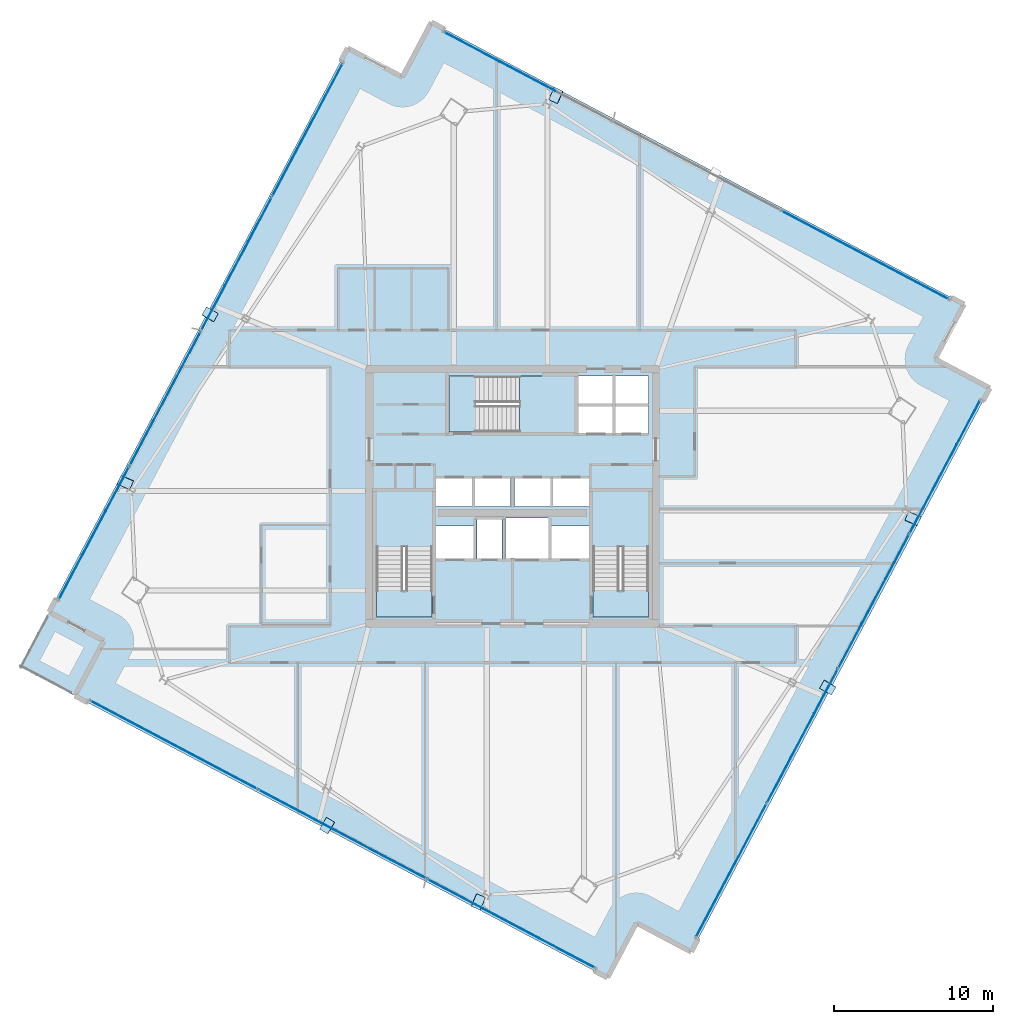
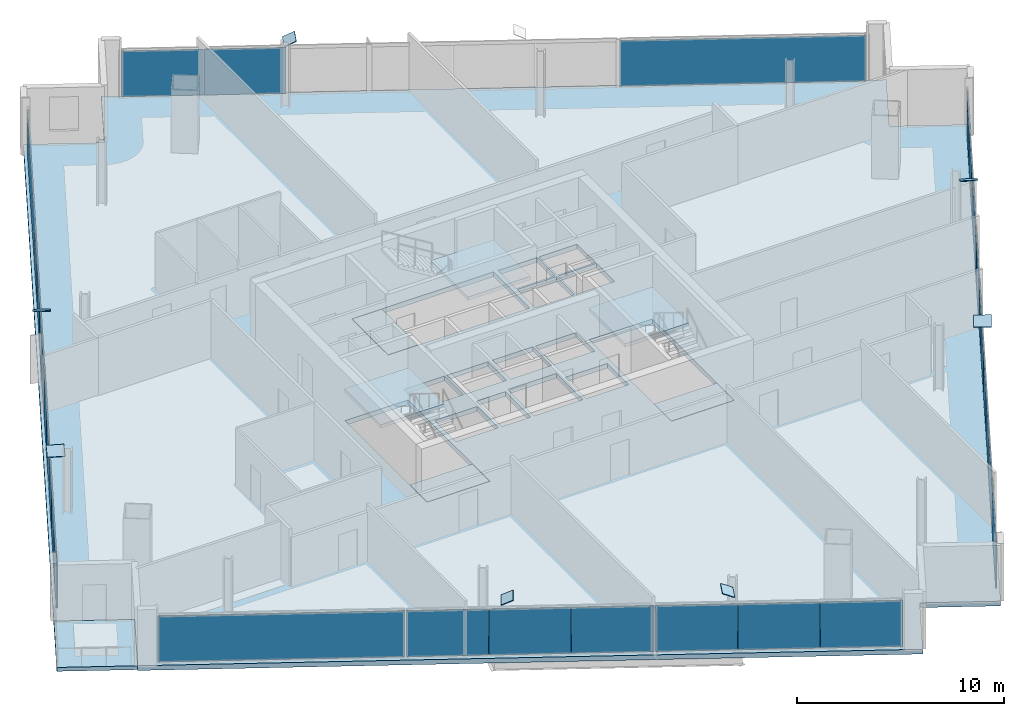
# One storey, part 19 of 28: 37 plates, 8 slabs, 7 elements without a shape of their own.
"""IFC4 building model written with IfcOpenShell, lengths in metres."""

from ifc_helpers import new_model, si_unit, direction, frame, origin, origin_2d, place, context, subcontext, project, spatial, polyline, rectangle, outline, extrude, source, transform, mapped, material, layer, layer_set, type_object, element, aggregate, save


model = new_model("IFC4")

# Units and contexts
model_context = context("Model", 3, precision=1e-05, world=origin(), true_north=direction((0.0, 1.0)))
body_context = subcontext(model_context, "Body", "Model", "MODEL_VIEW")
ifc_project = project(units=[si_unit("LENGTHUNIT", "METRE"), si_unit("AREAUNIT", "SQUARE_METRE"), si_unit("VOLUMEUNIT", "CUBIC_METRE"), si_unit("PLANEANGLEUNIT", "RADIAN"), si_unit("MASSUNIT", "GRAM", prefix="KILO")], contexts=[model_context])

# Site, building, storey
site_placement = place(None, origin())
site = spatial("IfcSite", under=ifc_project, at=site_placement, CompositionType="ELEMENT")
building_placement = place(site_placement, origin())
building = spatial("IfcBuilding", under=site, at=building_placement, Name="Haldenkirk Collegiate Tower", CompositionType="ELEMENT")
storey_placement = place(building_placement, frame((0.0, 0.0, 235.949951171875)))
storey = spatial("IfcBuildingStorey", under=building, at=storey_placement, Name="L59", CompositionType="ELEMENT", Elevation=235.949951171875)

# Slab
ifc_material_1 = material(Name="Concrete f'c 40 MPa", Category="concrete")
ifc_layer_1 = layer(ifc_material_1, 0.280029296875)
ifc_layer_set_1 = layer_set([ifc_layer_1], Name="Concrete f'c 40 MPa")
slab_type_1 = type_object("IfcSlabType", Name="SLB-FLR-280", PredefinedType="FLOOR", material=ifc_layer_set_1)
slab_1_placement = place(storey_placement, frame((0.0, 0.0, -0.280029296875)))
element("IfcSlab", 1, at=slab_1_placement, inside=storey, type_object=slab_type_1, Name="L59 composite structural floor slab", PredefinedType="FLOOR", context=body_context, shape_type="SweptSolid", body=[
    extrude(outline(polyline([(47.231689453125, -2.634033203125), (65.995849609375, 32.804931640625), (62.549072265625, 34.6298828125), (64.3740234375, 38.07666015625), (30.9013671875, 55.799560546875), (29.076416015625, 52.352783203125), (25.6298828125, 54.177734375), (6.86572265625, 18.73876953125), (10.3125, 16.913818359375), (8.487548828125, 13.467041015625), (41.960205078125, -4.255615234375), (43.78515625, -0.80908203125), (47.231689453125, -2.634033203125)]), holes=[polyline([(27.449951171875, 18.39990234375), (30.949951171875, 18.39990234375), (30.949951171875, 26.300048828125), (27.449951171875, 26.300048828125), (27.449951171875, 18.39990234375)]), polyline([(41.050048828125, 18.39990234375), (44.550048828125, 18.39990234375), (44.550048828125, 26.300048828125), (41.050048828125, 26.300048828125), (41.050048828125, 18.39990234375)]), polyline([(32.0, 30.050048828125), (39.89990234375, 30.050048828125), (39.89990234375, 33.550048828125), (32.0, 33.550048828125), (32.0, 30.050048828125)]), polyline([(33.75, 22.10009765625), (35.35009765625, 22.10009765625), (35.35009765625, 24.550048828125), (33.75, 24.550048828125), (33.75, 22.10009765625)]), polyline([(40.14990234375, 29.949951171875), (42.320068359375, 29.949951171875), (42.320068359375, 31.699951171875), (40.14990234375, 31.699951171875), (40.14990234375, 29.949951171875)]), polyline([(42.419921875, 29.949951171875), (44.550048828125, 29.949951171875), (44.550048828125, 31.699951171875), (42.419921875, 31.699951171875), (42.419921875, 29.949951171875)]), polyline([(40.14990234375, 31.800048828125), (42.320068359375, 31.800048828125), (42.320068359375, 33.550048828125), (40.14990234375, 33.550048828125), (40.14990234375, 31.800048828125)]), polyline([(42.419921875, 31.800048828125), (44.550048828125, 31.800048828125), (44.550048828125, 33.550048828125), (42.419921875, 33.550048828125), (42.419921875, 31.800048828125)]), polyline([(31.199951171875, 25.35009765625), (33.47998046875, 25.35009765625), (33.47998046875, 27.14990234375), (31.199951171875, 27.14990234375), (31.199951171875, 25.35009765625)]), polyline([(33.60009765625, 25.35009765625), (35.8798828125, 25.35009765625), (35.8798828125, 27.14990234375), (33.60009765625, 27.14990234375), (33.60009765625, 25.35009765625)]), polyline([(36.1201171875, 25.35009765625), (38.39990234375, 25.35009765625), (38.39990234375, 27.14990234375), (36.1201171875, 27.14990234375), (36.1201171875, 25.35009765625)]), polyline([(38.52001953125, 25.35009765625), (40.800048828125, 25.35009765625), (40.800048828125, 27.14990234375), (38.52001953125, 27.14990234375), (38.52001953125, 25.35009765625)]), polyline([(31.199951171875, 22.10009765625), (33.550048828125, 22.10009765625), (33.550048828125, 24.14990234375), (31.199951171875, 24.14990234375), (31.199951171875, 22.10009765625)]), polyline([(38.449951171875, 22.10009765625), (40.800048828125, 22.10009765625), (40.800048828125, 24.14990234375), (38.449951171875, 24.14990234375), (38.449951171875, 22.10009765625)]), polyline([(35.550048828125, 22.10009765625), (38.25, 22.10009765625), (38.25, 24.64990234375), (35.550048828125, 24.64990234375), (35.550048828125, 22.10009765625)])]), origin(), (0.0, 0.0, 1.0), 0.280029296875),
])

# Stair, slab
stair_type = type_object("IfcStairType", Name="STR-DOGLEG-1650", PredefinedType="HALF_TURN_STAIR", material=ifc_material_1)
stair_1_placement = place(storey_placement, origin())
stair_1 = element("IfcStair", 2, at=stair_1_placement, inside=storey, type_object=stair_type, Name="L59 Core Exit Stair ST-1", PredefinedType="HALF_TURN_STAIR")
ifc_layer_2 = layer(ifc_material_1, 0.199951171875)
ifc_layer_set_2 = layer_set([ifc_layer_2], Name="Concrete f'c 40 MPa")
slab_type_2 = type_object("IfcSlabType", Name="SLB-LANDING-200", PredefinedType="LANDING", material=ifc_layer_set_2)
slab_2_placement = place(storey_placement, frame((0.0, 0.0, 1.675048828125)))
slab_2 = element("IfcSlab", 3, at=slab_2_placement, type_object=slab_type_2, Name="ST-1 landing 1", PredefinedType="LANDING", context=body_context, shape_type="SweptSolid", body=[
    extrude(outline(polyline([(30.97509765625, 22.824951171875), (27.425048828125, 22.824951171875), (27.425048828125, 26.324951171875), (30.97509765625, 26.324951171875), (30.97509765625, 22.824951171875)])), origin(), (0.0, 0.0, 1.0), 0.199951171875),
])
aggregate(stair_1, [slab_2])

stair_2_placement = place(storey_placement, origin())
stair_2 = element("IfcStair", 4, at=stair_2_placement, inside=storey, type_object=stair_type, Name="L59 Core Exit Stair ST-2", PredefinedType="HALF_TURN_STAIR")
slab_3_placement = place(storey_placement, frame((0.0, 0.0, 1.675048828125)))
slab_3 = element("IfcSlab", 5, at=slab_3_placement, type_object=slab_type_2, Name="ST-2 landing 1", PredefinedType="LANDING", context=body_context, shape_type="SweptSolid", body=[
    extrude(outline(polyline([(44.574951171875, 22.824951171875), (41.02490234375, 22.824951171875), (41.02490234375, 26.324951171875), (44.574951171875, 26.324951171875), (44.574951171875, 22.824951171875)])), origin(), (0.0, 0.0, 1.0), 0.199951171875),
])
aggregate(stair_2, [slab_3])

stair_3_placement = place(storey_placement, origin())
stair_3 = element("IfcStair", 6, at=stair_3_placement, inside=storey, type_object=stair_type, Name="L59 Core Exit Stair ST-3", PredefinedType="HALF_TURN_STAIR")
slab_4_placement = place(storey_placement, frame((0.0, 0.0, 1.675048828125)))
slab_4 = element("IfcSlab", 7, at=slab_4_placement, type_object=slab_type_2, Name="ST-3 landing 1", PredefinedType="LANDING", context=body_context, shape_type="SweptSolid", body=[
    extrude(outline(polyline([(36.425048828125, 30.02490234375), (36.425048828125, 33.574951171875), (39.925048828125, 33.574951171875), (39.925048828125, 30.02490234375), (36.425048828125, 30.02490234375)])), origin(), (0.0, 0.0, 1.0), 0.199951171875),
])
aggregate(stair_3, [slab_4])

# Slabs
ifc_layer_3 = layer(ifc_material_1, 0.25)
ifc_layer_set_3 = layer_set([ifc_layer_3], Name="Concrete f'c 40 MPa")
slab_type_3 = type_object("IfcSlabType", Name="SLB-STAIRLAND-250", PredefinedType="LANDING", material=ifc_layer_set_3)
slab_5_placement = place(storey_placement, frame((0.0, 0.0, -0.25)))
element("IfcSlab", 8, at=slab_5_placement, inside=storey, type_object=slab_type_3, Name="L59 stair ST1 structural floor landing slab", PredefinedType="LANDING", context=body_context, shape_type="SweptSolid", body=[
    extrude(outline(polyline([(27.4599609375, 18.409912109375), (30.93994140625, 18.409912109375), (30.93994140625, 20.080078125), (27.4599609375, 20.080078125), (27.4599609375, 18.409912109375)])), origin(), (0.0, 0.0, 1.0), 0.25),
])
slab_6_placement = place(storey_placement, frame((0.0, 0.0, -0.25)))
element("IfcSlab", 9, at=slab_6_placement, inside=storey, type_object=slab_type_3, Name="L59 stair ST2 structural floor landing slab", PredefinedType="LANDING", context=body_context, shape_type="SweptSolid", body=[
    extrude(outline(polyline([(41.06005859375, 18.409912109375), (44.5400390625, 18.409912109375), (44.5400390625, 20.080078125), (41.06005859375, 20.080078125), (41.06005859375, 18.409912109375)])), origin(), (0.0, 0.0, 1.0), 0.25),
])
slab_7_placement = place(storey_placement, frame((0.0, 0.0, -0.25)))
element("IfcSlab", 10, at=slab_7_placement, inside=storey, type_object=slab_type_3, Name="L59 stair ST3 structural floor landing slab", PredefinedType="LANDING", context=body_context, shape_type="SweptSolid", body=[
    extrude(outline(polyline([(32.010009765625, 30.06005859375), (33.679931640625, 30.06005859375), (33.679931640625, 33.5400390625), (32.010009765625, 33.5400390625), (32.010009765625, 30.06005859375)])), origin(), (0.0, 0.0, 1.0), 0.25),
])
ifc_layer_4 = layer(ifc_material_1, 0.22998046875)
ifc_layer_set_4 = layer_set([ifc_layer_4], Name="Concrete f'c 40 MPa")
slab_type_4 = type_object("IfcSlabType", Name="SLB-TERR-SPIRAL-230", PredefinedType="FLOOR", material=ifc_layer_set_4)
slab_8_placement = place(storey_placement, frame((0.0, 0.0, -0.22998046875)))
element("IfcSlab", 11, at=slab_8_placement, inside=storey, type_object=slab_type_4, Name="L59 spiralling corner terrace slab", PredefinedType="FLOOR", context=body_context, shape_type="SweptSolid", body=[
    extrude(outline(polyline([(8.487548828125, 13.467041015625), (10.3125, 16.913818359375), (6.86572265625, 18.73876953125), (5.041015625, 15.2919921875), (8.487548828125, 13.467041015625)])), origin(), (0.0, 0.0, 1.0), 0.22998046875),
])

# Plates
ifc_material_2 = material(Name="Steel ASTM A572 Grade 50", Category="steel")
ifc_layer_5 = layer(ifc_material_2, 0.034912109375)
ifc_layer_set_5 = layer_set([ifc_layer_5], Name="Steel ASTM A572 Grade 50")
plate_type_1 = type_object("IfcPlateType", Name="PLT-CAP-EXT-760X600", PredefinedType="USERDEFINED", material=ifc_layer_set_5)
shared_shape_1 = source(origin(), body_context, "Body", "SweptSolid", [
    extrude(rectangle(XDim=0.860107421875, YDim=0.659912109375, at=origin_2d()), origin(), (0.0, 0.0, 1.0), 0.034912109375),
])
for number, where, z_axis, x_axis, name in (
    (12, (55.820556640625, 13.9892578125, 3.387451171875), (-0.236954971808, -0.41756695032, 0.877205895634), (0.869723782829, -0.493538794404, -1.30873e-07), "Perimeter Mega Brace Z4 L57-L59 SL end cap plate 2"),
    (13, (61.163330078125, 24.58935546875, 3.38720703125), (0.184724087541, 0.419739198914, 0.88864842113), (-0.915283707916, 0.402809798819, -1.28831e-07), "Perimeter Mega Brace Z4 L57-L59 SR end cap plate 2"),
    (14, (38.7294921875, 51.1982421875, 3.387451171875), (-0.397510047221, 0.177415021076, 0.900283106947), (-0.407565732875, -0.9131758721, -3.96683e-07), "Perimeter Mega Brace Z4 L57-L59 ER end cap plate 2"),
    (15, (16.980224609375, 37.432861328125, 3.387451171875), (0.236617001642, 0.415802002886, 0.878135006095), (-0.869127717291, 0.494587718242, -1.92838e-07), "Perimeter Mega Brace Z4 L57-L59 NL end cap plate 2"),
    (16, (11.663330078125, 26.884033203125, 3.38720703125), (-0.183460986568, -0.418323969373, 0.889576934871), (0.915799561089, -0.401635610858, -3.50728e-07), "Perimeter Mega Brace Z4 L57-L59 NR end cap plate 2"),
    (17, (24.3515625, 5.297119140625, 3.387451171875), (-0.381641941076, 0.220048966026, 0.897734861394), (-0.499503583142, -0.866311820552, -5.53256e-07), "Perimeter Mega Brace Z4 L57-L59 WL end cap plate 2"),
    (18, (33.839599609375, 0.514892578125, 3.387451171875), (0.384768993656, -0.165928997264, 0.907975985028), (0.395991106612, 0.918254345748, -8.4544e-08), "Perimeter Mega Brace Z4 L57-L59 WR end cap plate 2"),
):
    element("IfcPlate", number, at=place(storey_placement, frame(where, z_axis=z_axis, x_axis=x_axis)), inside=storey, type_object=plate_type_1, Name=name, ObjectType="END CAP PLATE", PredefinedType="USERDEFINED", context=body_context, shape_type="MappedRepresentation", body=[
        mapped(shared_shape_1, transform((0.0, 0.0, 0.0), x_axis=(1.0, 0.0, 0.0), y_axis=(0.0, 1.0, 0.0), z_axis=(0.0, 0.0, 1.0), scale=1.0)),
    ])

# Curtain wall, plates
ifc_material_3 = material(Name="Anodised architectural bronze aluminium", Category="aluminium")
curtain_wall_type_1 = type_object("IfcCurtainWallType", Name="CW-SYS2-CONCAVE", PredefinedType="USERDEFINED", material=ifc_material_3)
curtain_wall_1_placement = place(storey_placement, origin())
curtain_wall_1 = element("IfcCurtainWall", 19, at=curtain_wall_1_placement, inside=storey, type_object=curtain_wall_type_1, Name="L59 South concave recessed bronze-anodised curtain wall", ObjectType="UNITISED CURTAIN WALL", PredefinedType="USERDEFINED")
ifc_material_4 = material(Name="Low-E argon triple insulating glass", Category="glass")
ifc_layer_6 = layer(ifc_material_4, 0.0419921875)
ifc_layer_set_6 = layer_set([ifc_layer_6], Name="Low-E argon triple insulating glass")
plate_type_2 = type_object("IfcPlateType", Name="CW-PNL-02", PredefinedType="CURTAIN_PANEL", material=ifc_layer_set_6)
shared_shape_2 = source(origin(), body_context, "Body", "SweptSolid", [
    extrude(rectangle(XDim=3.1416015625, YDim=0.0419921875, at=origin_2d()), origin(), (0.0, 0.0, 1.0), 2.7080078125),
])
plate_1_placement = place(storey_placement, frame((64.6455078125, 30.639404296875, 0.074951171875), z_axis=(0.0, 0.0, 1.0), x_axis=(-0.467931866304, -0.883764543584, 0.0)))
plate_1 = element("IfcPlate", 20, at=plate_1_placement, type_object=plate_type_2, Name="CW-02 panel 1.1a", PredefinedType="CURTAIN_PANEL", context=body_context, shape_type="MappedRepresentation", body=[
    mapped(shared_shape_2, transform((0.0, 0.0, 0.0), x_axis=(1.0, 0.0, 0.0), y_axis=(0.0, 1.0, 0.0), z_axis=(0.0, 0.0, 1.0), scale=1.0)),
])
ifc_material_5 = material(Name="Bronze-anodised insulated aluminium spandrel panel", Category="aluminium")
ifc_layer_7 = layer(ifc_material_5, 0.0419921875)
ifc_layer_set_7 = layer_set([ifc_layer_7], Name="Bronze-anodised insulated aluminium spandrel panel")
plate_type_3 = type_object("IfcPlateType", Name="CW-SPD-02", PredefinedType="CURTAIN_PANEL", material=ifc_layer_set_7)
plate_2_placement = place(storey_placement, frame((61.687744140625, 25.052978515625, 0.074951171875), z_axis=(0.0, 0.0, 1.0), x_axis=(-0.467931866304, -0.883764543584, 0.0)))
plate_2 = element("IfcPlate", 21, at=plate_2_placement, type_object=plate_type_3, Name="CW-02 spandrel panel 1.1c", PredefinedType="CURTAIN_PANEL", context=body_context, shape_type="MappedRepresentation", body=[
    mapped(shared_shape_2, transform((0.0, 0.0, 0.0), x_axis=(1.0, 0.0, 0.0), y_axis=(0.0, 1.0, 0.0), z_axis=(0.0, 0.0, 1.0), scale=1.0)),
])
plate_3_placement = place(storey_placement, frame((58.69482421875, 19.400634765625, 0.074951171875), z_axis=(0.0, 0.0, 1.0), x_axis=(-0.467931866304, -0.883764543584, 0.0)))
plate_3 = element("IfcPlate", 22, at=plate_3_placement, type_object=plate_type_2, Name="CW-02 panel 2.1b", PredefinedType="CURTAIN_PANEL", context=body_context, shape_type="MappedRepresentation", body=[
    mapped(shared_shape_2, transform((0.0, 0.0, 0.0), x_axis=(1.0, 0.0, 0.0), y_axis=(0.0, 1.0, 0.0), z_axis=(0.0, 0.0, 1.0), scale=1.0)),
])
plate_4_placement = place(storey_placement, frame((54.214599609375, 10.938720703125, 0.074951171875), z_axis=(0.0, 0.0, 1.0), x_axis=(-0.467931866304, -0.883764543584, 0.0)))
plate_4 = element("IfcPlate", 23, at=plate_4_placement, type_object=plate_type_2, Name="CW-02 panel 3.1b", PredefinedType="CURTAIN_PANEL", context=body_context, shape_type="MappedRepresentation", body=[
    mapped(shared_shape_2, transform((0.0, 0.0, 0.0), x_axis=(1.0, 0.0, 0.0), y_axis=(0.0, 1.0, 0.0), z_axis=(0.0, 0.0, 1.0), scale=1.0)),
])
shared_shape_3 = source(origin(), body_context, "Body", "SweptSolid", [
    extrude(rectangle(XDim=3.129150390625, YDim=0.0419921875, at=origin_2d()), origin(), (0.0, 0.0, 1.0), 2.7080078125),
])
plate_5_placement = place(storey_placement, frame((63.16650390625, 27.84619140625, 0.074951171875), z_axis=(0.0, 0.0, 1.0), x_axis=(-0.467931866304, -0.883764543584, 0.0)))
plate_5 = element("IfcPlate", 24, at=plate_5_placement, type_object=plate_type_2, Name="CW-02 panel 1.1b", PredefinedType="CURTAIN_PANEL", context=body_context, shape_type="MappedRepresentation", body=[
    mapped(shared_shape_3, transform((0.0, 0.0, 0.0), x_axis=(1.0, 0.0, 0.0), y_axis=(0.0, 1.0, 0.0), z_axis=(0.0, 0.0, 1.0), scale=1.0)),
])
shared_shape_4 = source(origin(), body_context, "Body", "SweptSolid", [
    extrude(rectangle(XDim=3.154296875, YDim=0.0419921875, at=origin_2d()), origin(), (0.0, 0.0, 1.0), 2.7080078125),
])
plate_6_placement = place(storey_placement, frame((60.1796875, 22.204833984375, 0.074951171875), z_axis=(0.0, 0.0, 1.0), x_axis=(-0.467931866304, -0.883764543584, 0.0)))
plate_6 = element("IfcPlate", 25, at=plate_6_placement, type_object=plate_type_3, Name="CW-02 spandrel panel 2.1a", PredefinedType="CURTAIN_PANEL", context=body_context, shape_type="MappedRepresentation", body=[
    mapped(shared_shape_4, transform((0.0, 0.0, 0.0), x_axis=(1.0, 0.0, 0.0), y_axis=(0.0, 1.0, 0.0), z_axis=(0.0, 0.0, 1.0), scale=1.0)),
])
plate_7_placement = place(storey_placement, frame((57.210205078125, 16.5966796875, 0.074951171875), z_axis=(0.0, 0.0, 1.0), x_axis=(-0.467931866304, -0.883764543584, 0.0)))
plate_7 = element("IfcPlate", 26, at=plate_7_placement, type_object=plate_type_3, Name="CW-02 spandrel panel 2.1c", PredefinedType="CURTAIN_PANEL", context=body_context, shape_type="MappedRepresentation", body=[
    mapped(shared_shape_4, transform((0.0, 0.0, 0.0), x_axis=(1.0, 0.0, 0.0), y_axis=(0.0, 1.0, 0.0), z_axis=(0.0, 0.0, 1.0), scale=1.0)),
])
plate_8_placement = place(storey_placement, frame((55.69921875, 13.742919921875, 0.074951171875), z_axis=(0.0, 0.0, 1.0), x_axis=(-0.467931866304, -0.883764543584, 0.0)))
plate_8 = element("IfcPlate", 27, at=plate_8_placement, type_object=plate_type_3, Name="CW-02 spandrel panel 3.1a", PredefinedType="CURTAIN_PANEL", context=body_context, shape_type="MappedRepresentation", body=[
    mapped(shared_shape_4, transform((0.0, 0.0, 0.0), x_axis=(1.0, 0.0, 0.0), y_axis=(0.0, 1.0, 0.0), z_axis=(0.0, 0.0, 1.0), scale=1.0)),
])
plate_9_placement = place(storey_placement, frame((52.729736328125, 8.134521484375, 0.074951171875), z_axis=(0.0, 0.0, 1.0), x_axis=(-0.467931866304, -0.883764543584, 0.0)))
plate_9 = element("IfcPlate", 28, at=plate_9_placement, type_object=plate_type_2, Name="CW-02 panel 3.1c", PredefinedType="CURTAIN_PANEL", context=body_context, shape_type="MappedRepresentation", body=[
    mapped(shared_shape_4, transform((0.0, 0.0, 0.0), x_axis=(1.0, 0.0, 0.0), y_axis=(0.0, 1.0, 0.0), z_axis=(0.0, 0.0, 1.0), scale=1.0)),
])
shared_shape_5 = source(origin(), body_context, "Body", "SweptSolid", [
    extrude(rectangle(XDim=9.46240234375, YDim=0.0419921875, at=origin_2d()), origin(), (0.0, 0.0, 1.0), 2.7080078125),
])
plate_10_placement = place(storey_placement, frame((49.742919921875, 2.4931640625, 0.074951171875), z_axis=(0.0, 0.0, 1.0), x_axis=(-0.467931866304, -0.883764543584, 0.0)))
plate_10 = element("IfcPlate", 29, at=plate_10_placement, type_object=plate_type_2, Name="CW-02 panel 4.1", PredefinedType="CURTAIN_PANEL", context=body_context, shape_type="MappedRepresentation", body=[
    mapped(shared_shape_5, transform((0.0, 0.0, 0.0), x_axis=(1.0, 0.0, 0.0), y_axis=(0.0, 1.0, 0.0), z_axis=(0.0, 0.0, 1.0), scale=1.0)),
])
aggregate(curtain_wall_1, [plate_1, plate_5, plate_2, plate_6, plate_3, plate_7, plate_8, plate_4, plate_9, plate_10])

# Curtain wall, plate
curtain_wall_type_2 = type_object("IfcCurtainWallType", Name="CW-SYS1B-CONVEX-HI", PredefinedType="USERDEFINED", material=ifc_material_3)
curtain_wall_2_placement = place(storey_placement, origin())
curtain_wall_2 = element("IfcCurtainWall", 30, at=curtain_wall_2_placement, inside=storey, type_object=curtain_wall_type_2, Name="L59 Upper tower high-wind convex bronze unitised curtain wall", ObjectType="UNITISED CURTAIN WALL", PredefinedType="USERDEFINED")
ifc_layer_8 = layer(ifc_material_4, 0.048095703125)
ifc_layer_set_8 = layer_set([ifc_layer_8], Name="Low-E argon triple insulating glass")
plate_type_4 = type_object("IfcPlateType", Name="CW-PNL-1B", PredefinedType="CURTAIN_PANEL", material=ifc_layer_set_8)
shared_shape_6 = source(origin(), body_context, "Body", "SweptSolid", [
    extrude(rectangle(XDim=3.953369140625, YDim=0.048095703125, at=origin_2d()), origin(), (0.0, 0.0, 1.0), 2.68798828125),
])
plate_11_placement = place(storey_placement, frame((33.4345703125, 54.254638671875, 0.0849609375), z_axis=(0.0, 0.0, 1.0), x_axis=(0.883765597013, -0.46792987673, 0.0)))
plate_11 = element("IfcPlate", 31, at=plate_11_placement, type_object=plate_type_4, Name="CW-1B panel 1.1a", PredefinedType="CURTAIN_PANEL", context=body_context, shape_type="MappedRepresentation", body=[
    mapped(shared_shape_6, transform((0.0, 0.0, 0.0), x_axis=(1.0, 0.0, 0.0), y_axis=(0.0, 1.0, 0.0), z_axis=(0.0, 0.0, 1.0), scale=1.0)),
])

# Curtain wall, plates
curtain_wall_3_placement = place(storey_placement, origin())
curtain_wall_3 = element("IfcCurtainWall", 32, at=curtain_wall_3_placement, inside=storey, type_object=curtain_wall_type_2, Name="L59 Upper tower high-wind convex bronze unitised curtain wall", ObjectType="UNITISED CURTAIN WALL", PredefinedType="USERDEFINED")
plate_12_placement = place(storey_placement, frame((39.427001953125, -2.710693359375, 0.0849609375), z_axis=(0.0, 0.0, 1.0), x_axis=(-0.883764990055, 0.467931023072, 0.0)))
plate_12 = element("IfcPlate", 33, at=plate_12_placement, type_object=plate_type_4, Name="CW-1B panel 1.1a", PredefinedType="CURTAIN_PANEL", context=body_context, shape_type="MappedRepresentation", body=[
    mapped(shared_shape_6, transform((0.0, 0.0, 0.0), x_axis=(1.0, 0.0, 0.0), y_axis=(0.0, 1.0, 0.0), z_axis=(0.0, 0.0, 1.0), scale=1.0)),
])
ifc_layer_9 = layer(ifc_material_5, 0.048095703125)
ifc_layer_set_9 = layer_set([ifc_layer_9], Name="Bronze-anodised insulated aluminium spandrel panel")
plate_type_5 = type_object("IfcPlateType", Name="CW-SPD-1B", PredefinedType="CURTAIN_PANEL", material=ifc_layer_set_9)
plate_13_placement = place(storey_placement, frame((32.40625, 1.006591796875, 0.0849609375), z_axis=(0.0, 0.0, 1.0), x_axis=(-0.883764990055, 0.467931023072, 0.0)))
plate_13 = element("IfcPlate", 34, at=plate_13_placement, type_object=plate_type_5, Name="CW-1B spandrel panel 1.1c", PredefinedType="CURTAIN_PANEL", context=body_context, shape_type="MappedRepresentation", body=[
    mapped(shared_shape_6, transform((0.0, 0.0, 0.0), x_axis=(1.0, 0.0, 0.0), y_axis=(0.0, 1.0, 0.0), z_axis=(0.0, 0.0, 1.0), scale=1.0)),
])

# Plate
shared_shape_7 = source(origin(), body_context, "Body", "SweptSolid", [
    extrude(rectangle(XDim=3.94091796875, YDim=0.048095703125, at=origin_2d()), origin(), (0.0, 0.0, 1.0), 2.68798828125),
])
plate_14_placement = place(storey_placement, frame((36.945068359375, 52.39599609375, 0.0849609375), z_axis=(0.0, 0.0, 1.0), x_axis=(0.883765597013, -0.46792987673, 0.0)))
plate_14 = element("IfcPlate", 35, at=plate_14_placement, type_object=plate_type_5, Name="CW-1B spandrel panel 1.1b", PredefinedType="CURTAIN_PANEL", context=body_context, shape_type="MappedRepresentation", body=[
    mapped(shared_shape_7, transform((0.0, 0.0, 0.0), x_axis=(1.0, 0.0, 0.0), y_axis=(0.0, 1.0, 0.0), z_axis=(0.0, 0.0, 1.0), scale=1.0)),
])

plate_15_placement = place(storey_placement, frame((35.91650390625, -0.85205078125, 0.0849609375), z_axis=(0.0, 0.0, 1.0), x_axis=(-0.883764990055, 0.467931023072, 0.0)))
plate_15 = element("IfcPlate", 36, at=plate_15_placement, type_object=plate_type_4, Name="CW-1B panel 1.1b", PredefinedType="CURTAIN_PANEL", context=body_context, shape_type="MappedRepresentation", body=[
    mapped(shared_shape_7, transform((0.0, 0.0, 0.0), x_axis=(1.0, 0.0, 0.0), y_axis=(0.0, 1.0, 0.0), z_axis=(0.0, 0.0, 1.0), scale=1.0)),
])

shared_shape_8 = source(origin(), body_context, "Body", "SweptSolid", [
    extrude(rectangle(XDim=3.967529296875, YDim=0.048095703125, at=origin_2d()), origin(), (0.0, 0.0, 1.0), 2.68798828125),
])
plate_16_placement = place(storey_placement, frame((28.8310546875, 2.8994140625, 0.0849609375), z_axis=(0.0, 0.0, 1.0), x_axis=(-0.883764990055, 0.467931023072, 0.0)))
plate_16 = element("IfcPlate", 37, at=plate_16_placement, type_object=plate_type_4, Name="CW-1B panel 2.1a", PredefinedType="CURTAIN_PANEL", context=body_context, shape_type="MappedRepresentation", body=[
    mapped(shared_shape_8, transform((0.0, 0.0, 0.0), x_axis=(1.0, 0.0, 0.0), y_axis=(0.0, 1.0, 0.0), z_axis=(0.0, 0.0, 1.0), scale=1.0)),
])

plate_17_placement = place(storey_placement, frame((21.78515625, 6.630126953125, 0.0849609375), z_axis=(0.0, 0.0, 1.0), x_axis=(-0.883764990055, 0.467931023072, 0.0)))
plate_17 = element("IfcPlate", 38, at=plate_17_placement, type_object=plate_type_4, Name="CW-1B panel 2.1c", PredefinedType="CURTAIN_PANEL", context=body_context, shape_type="MappedRepresentation", body=[
    mapped(shared_shape_8, transform((0.0, 0.0, 0.0), x_axis=(1.0, 0.0, 0.0), y_axis=(0.0, 1.0, 0.0), z_axis=(0.0, 0.0, 1.0), scale=1.0)),
])

shared_shape_9 = source(origin(), body_context, "Body", "SweptSolid", [
    extrude(rectangle(XDim=3.955078125, YDim=0.048095703125, at=origin_2d()), origin(), (0.0, 0.0, 1.0), 2.68798828125),
])
plate_18_placement = place(storey_placement, frame((25.30810546875, 4.764892578125, 0.0849609375), z_axis=(0.0, 0.0, 1.0), x_axis=(-0.883764990055, 0.467931023072, 0.0)))
plate_18 = element("IfcPlate", 39, at=plate_18_placement, type_object=plate_type_5, Name="CW-1B spandrel panel 2.1b", PredefinedType="CURTAIN_PANEL", context=body_context, shape_type="MappedRepresentation", body=[
    mapped(shared_shape_9, transform((0.0, 0.0, 0.0), x_axis=(1.0, 0.0, 0.0), y_axis=(0.0, 1.0, 0.0), z_axis=(0.0, 0.0, 1.0), scale=1.0)),
])

shared_shape_10 = source(origin(), body_context, "Body", "SweptSolid", [
    extrude(rectangle(XDim=11.8974609375, YDim=0.048095703125, at=origin_2d()), origin(), (0.0, 0.0, 1.0), 2.68798828125),
])
plate_19_placement = place(storey_placement, frame((58.162109375, 41.162109375, 0.0849609375), z_axis=(0.0, 0.0, 1.0), x_axis=(0.883765597013, -0.46792987673, 0.0)))
plate_19 = element("IfcPlate", 40, at=plate_19_placement, type_object=plate_type_4, Name="CW-1B panel 3.1", PredefinedType="CURTAIN_PANEL", context=body_context, shape_type="MappedRepresentation", body=[
    mapped(shared_shape_10, transform((0.0, 0.0, 0.0), x_axis=(1.0, 0.0, 0.0), y_axis=(0.0, 1.0, 0.0), z_axis=(0.0, 0.0, 1.0), scale=1.0)),
])

aggregate(curtain_wall_2, [plate_11, plate_14, plate_19])

plate_20_placement = place(storey_placement, frame((14.69970703125, 10.3818359375, 0.0849609375), z_axis=(0.0, 0.0, 1.0), x_axis=(-0.883764990055, 0.467931023072, 0.0)))
plate_20 = element("IfcPlate", 41, at=plate_20_placement, type_object=plate_type_4, Name="CW-1B panel 3.1", PredefinedType="CURTAIN_PANEL", context=body_context, shape_type="MappedRepresentation", body=[
    mapped(shared_shape_10, transform((0.0, 0.0, 0.0), x_axis=(1.0, 0.0, 0.0), y_axis=(0.0, 1.0, 0.0), z_axis=(0.0, 0.0, 1.0), scale=1.0)),
])

aggregate(curtain_wall_3, [plate_12, plate_15, plate_13, plate_16, plate_18, plate_17, plate_20])

# Curtain wall, plates
curtain_wall_4_placement = place(storey_placement, origin())
curtain_wall_4 = element("IfcCurtainWall", 42, at=curtain_wall_4_placement, inside=storey, type_object=curtain_wall_type_2, Name="L59 Upper tower high-wind convex bronze unitised curtain wall", ObjectType="UNITISED CURTAIN WALL", PredefinedType="USERDEFINED")
shared_shape_11 = source(origin(), body_context, "Body", "SweptSolid", [
    extrude(rectangle(XDim=3.13671875, YDim=0.048095703125, at=origin_2d()), origin(), (0.0, 0.0, 1.0), 2.68798828125),
])
plate_21_placement = place(storey_placement, frame((8.219482421875, 20.9111328125, 0.0849609375), z_axis=(0.0, 0.0, 1.0), x_axis=(0.467931866304, 0.883764543584, 0.0)))
plate_21 = element("IfcPlate", 43, at=plate_21_placement, type_object=plate_type_4, Name="CW-1B panel 1.1a", PredefinedType="CURTAIN_PANEL", context=body_context, shape_type="MappedRepresentation", body=[
    mapped(shared_shape_11, transform((0.0, 0.0, 0.0), x_axis=(1.0, 0.0, 0.0), y_axis=(0.0, 1.0, 0.0), z_axis=(0.0, 0.0, 1.0), scale=1.0)),
])
plate_22_placement = place(storey_placement, frame((11.172607421875, 26.48828125, 0.0849609375), z_axis=(0.0, 0.0, 1.0), x_axis=(0.467931866304, 0.883764543584, 0.0)))
plate_22 = element("IfcPlate", 44, at=plate_22_placement, type_object=plate_type_5, Name="CW-1B spandrel panel 1.1c", PredefinedType="CURTAIN_PANEL", context=body_context, shape_type="MappedRepresentation", body=[
    mapped(shared_shape_11, transform((0.0, 0.0, 0.0), x_axis=(1.0, 0.0, 0.0), y_axis=(0.0, 1.0, 0.0), z_axis=(0.0, 0.0, 1.0), scale=1.0)),
])
shared_shape_12 = source(origin(), body_context, "Body", "SweptSolid", [
    extrude(rectangle(XDim=3.124267578125, YDim=0.048095703125, at=origin_2d()), origin(), (0.0, 0.0, 1.0), 2.68798828125),
])
plate_23_placement = place(storey_placement, frame((9.6962890625, 23.69970703125, 0.0849609375), z_axis=(0.0, 0.0, 1.0), x_axis=(0.467931866304, 0.883764543584, 0.0)))
plate_23 = element("IfcPlate", 45, at=plate_23_placement, type_object=plate_type_4, Name="CW-1B panel 1.1b", PredefinedType="CURTAIN_PANEL", context=body_context, shape_type="MappedRepresentation", body=[
    mapped(shared_shape_12, transform((0.0, 0.0, 0.0), x_axis=(1.0, 0.0, 0.0), y_axis=(0.0, 1.0, 0.0), z_axis=(0.0, 0.0, 1.0), scale=1.0)),
])
shared_shape_13 = source(origin(), body_context, "Body", "SweptSolid", [
    extrude(rectangle(XDim=3.15087890625, YDim=0.048095703125, at=origin_2d()), origin(), (0.0, 0.0, 1.0), 2.68798828125),
])
plate_24_placement = place(storey_placement, frame((12.68359375, 29.341796875, 0.0849609375), z_axis=(0.0, 0.0, 1.0), x_axis=(0.467931866304, 0.883764543584, 0.0)))
plate_24 = element("IfcPlate", 46, at=plate_24_placement, type_object=plate_type_5, Name="CW-1B spandrel panel 2.1a", PredefinedType="CURTAIN_PANEL", context=body_context, shape_type="MappedRepresentation", body=[
    mapped(shared_shape_13, transform((0.0, 0.0, 0.0), x_axis=(1.0, 0.0, 0.0), y_axis=(0.0, 1.0, 0.0), z_axis=(0.0, 0.0, 1.0), scale=1.0)),
])
plate_25_placement = place(storey_placement, frame((15.64990234375, 34.944091796875, 0.0849609375), z_axis=(0.0, 0.0, 1.0), x_axis=(0.467931866304, 0.883764543584, 0.0)))
plate_25 = element("IfcPlate", 47, at=plate_25_placement, type_object=plate_type_5, Name="CW-1B spandrel panel 2.1c", PredefinedType="CURTAIN_PANEL", context=body_context, shape_type="MappedRepresentation", body=[
    mapped(shared_shape_13, transform((0.0, 0.0, 0.0), x_axis=(1.0, 0.0, 0.0), y_axis=(0.0, 1.0, 0.0), z_axis=(0.0, 0.0, 1.0), scale=1.0)),
])
plate_26_placement = place(storey_placement, frame((17.1640625, 37.803955078125, 0.0849609375), z_axis=(0.0, 0.0, 1.0), x_axis=(0.467931866304, 0.883764543584, 0.0)))
plate_26 = element("IfcPlate", 48, at=plate_26_placement, type_object=plate_type_5, Name="CW-1B spandrel panel 3.1a", PredefinedType="CURTAIN_PANEL", context=body_context, shape_type="MappedRepresentation", body=[
    mapped(shared_shape_13, transform((0.0, 0.0, 0.0), x_axis=(1.0, 0.0, 0.0), y_axis=(0.0, 1.0, 0.0), z_axis=(0.0, 0.0, 1.0), scale=1.0)),
])
plate_27_placement = place(storey_placement, frame((20.13037109375, 43.40625, 0.0849609375), z_axis=(0.0, 0.0, 1.0), x_axis=(0.467931866304, 0.883764543584, 0.0)))
plate_27 = element("IfcPlate", 49, at=plate_27_placement, type_object=plate_type_4, Name="CW-1B panel 3.1c", PredefinedType="CURTAIN_PANEL", context=body_context, shape_type="MappedRepresentation", body=[
    mapped(shared_shape_13, transform((0.0, 0.0, 0.0), x_axis=(1.0, 0.0, 0.0), y_axis=(0.0, 1.0, 0.0), z_axis=(0.0, 0.0, 1.0), scale=1.0)),
])
shared_shape_14 = source(origin(), body_context, "Body", "SweptSolid", [
    extrude(rectangle(XDim=3.13818359375, YDim=0.048095703125, at=origin_2d()), origin(), (0.0, 0.0, 1.0), 2.68798828125),
])
plate_28_placement = place(storey_placement, frame((14.166748046875, 32.14306640625, 0.0849609375), z_axis=(0.0, 0.0, 1.0), x_axis=(0.467931866304, 0.883764543584, 0.0)))
plate_28 = element("IfcPlate", 50, at=plate_28_placement, type_object=plate_type_4, Name="CW-1B panel 2.1b", PredefinedType="CURTAIN_PANEL", context=body_context, shape_type="MappedRepresentation", body=[
    mapped(shared_shape_14, transform((0.0, 0.0, 0.0), x_axis=(1.0, 0.0, 0.0), y_axis=(0.0, 1.0, 0.0), z_axis=(0.0, 0.0, 1.0), scale=1.0)),
])
plate_29_placement = place(storey_placement, frame((18.647216796875, 40.60498046875, 0.0849609375), z_axis=(0.0, 0.0, 1.0), x_axis=(0.467931866304, 0.883764543584, 0.0)))
plate_29 = element("IfcPlate", 51, at=plate_29_placement, type_object=plate_type_4, Name="CW-1B panel 3.1b", PredefinedType="CURTAIN_PANEL", context=body_context, shape_type="MappedRepresentation", body=[
    mapped(shared_shape_14, transform((0.0, 0.0, 0.0), x_axis=(1.0, 0.0, 0.0), y_axis=(0.0, 1.0, 0.0), z_axis=(0.0, 0.0, 1.0), scale=1.0)),
])
shared_shape_15 = source(origin(), body_context, "Body", "SweptSolid", [
    extrude(rectangle(XDim=9.447509765625, YDim=0.048095703125, at=origin_2d()), origin(), (0.0, 0.0, 1.0), 2.68798828125),
])
plate_30_placement = place(storey_placement, frame((23.11767578125, 49.04833984375, 0.0849609375), z_axis=(0.0, 0.0, 1.0), x_axis=(0.467931866304, 0.883764543584, 0.0)))
plate_30 = element("IfcPlate", 52, at=plate_30_placement, type_object=plate_type_4, Name="CW-1B panel 4.1", PredefinedType="CURTAIN_PANEL", context=body_context, shape_type="MappedRepresentation", body=[
    mapped(shared_shape_15, transform((0.0, 0.0, 0.0), x_axis=(1.0, 0.0, 0.0), y_axis=(0.0, 1.0, 0.0), z_axis=(0.0, 0.0, 1.0), scale=1.0)),
])
aggregate(curtain_wall_4, [plate_21, plate_23, plate_22, plate_24, plate_28, plate_25, plate_26, plate_29, plate_27, plate_30])

save(model, "model.ifc")
